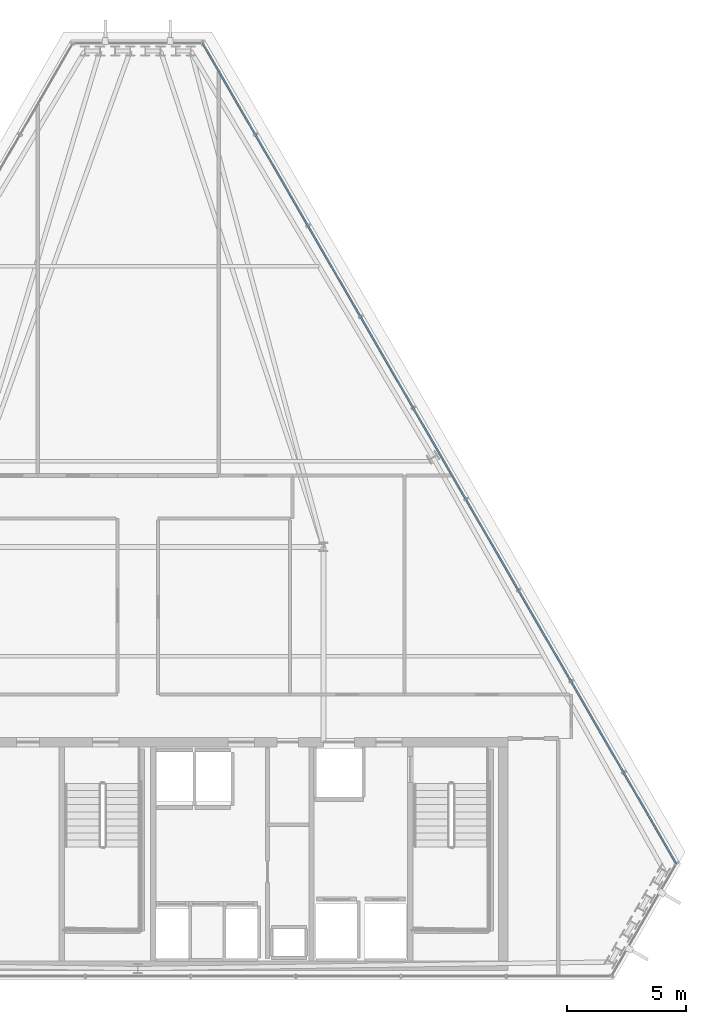
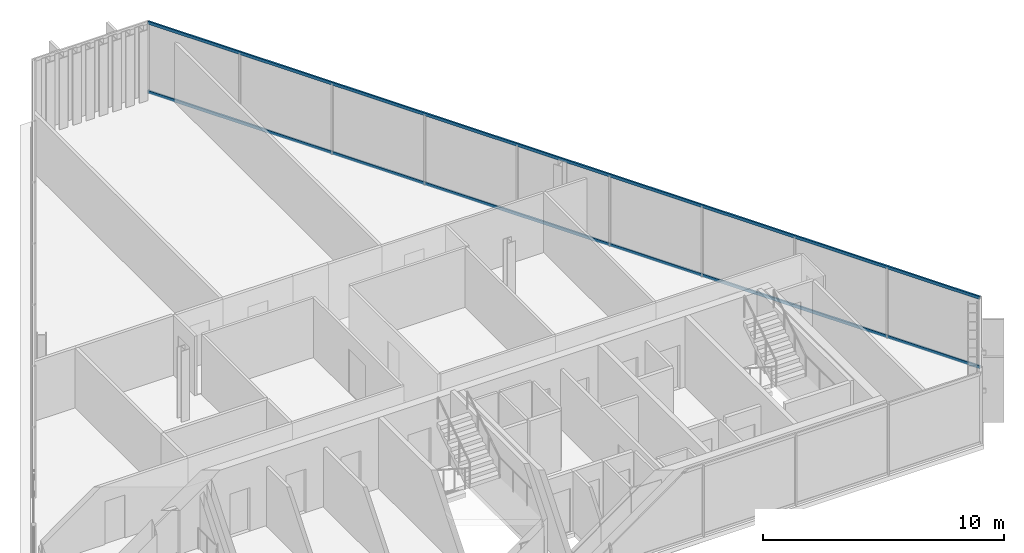
# One storey, part 25 of 34: 2 members, 1 element without a shape of its own.
"""IFC4 building model written with IfcOpenShell, lengths in metres."""

import ifcopenshell
import ifcopenshell.guid

model = None  # the IFC model being written
_history = None  # IfcOwnerHistory: only IFC2X3 demands one
_inside = {}  # id of a spatial element -> (the spatial element, [elements in it])
_under = {}  # id of a project, library or spatial element -> (it, [spatial elements below it])
_declared = {}  # id of a project -> (the project, [libraries it declares])
_typed = {}  # id of a type object -> (the type object, [elements of that type])
_made_of = {}  # id of a material, layer set ... -> (it, [elements and type objects made of it])


def new_model(schema):
    """Start an empty IFC model of exactly this schema.

    Asked for "IFC4X3", IfcOpenShell would pick the latest addendum, in which some entities
    have other attributes; the version numbers below select the first issue.
    IFC2X3 requires an IfcOwnerHistory on every rooted entity: one is made here for all.
    """
    global model, _history
    if schema == "IFC4X3":
        model = ifcopenshell.file(schema_version=(4, 3, 0, 0))
    else:
        model = ifcopenshell.file(schema=schema)
    _inside.clear()
    _under.clear()
    _declared.clear()
    _typed.clear()
    _made_of.clear()
    _history = None
    if model.schema == "IFC2X3":
        org = make("IfcOrganization", Name="unknown")
        user = make(
            "IfcPersonAndOrganization",
            ThePerson=make("IfcPerson", FamilyName="unknown"),
            TheOrganization=org,
        )
        app = make(
            "IfcApplication",
            ApplicationDeveloper=org,
            Version="unknown",
            ApplicationFullName="unknown",
            ApplicationIdentifier="unknown",
        )
        _history = make(
            "IfcOwnerHistory",
            OwningUser=user,
            OwningApplication=app,
            ChangeAction="ADDED",
            CreationDate=0,
        )
    return model


def make(cls, **values):
    """One entity of the class cls with the attributes given. An attribute that is None is left unset."""
    return model.create_entity(
        cls, **{name: value for name, value in values.items() if value is not None}
    )


def rooted(cls, **values):
    """An entity with a GlobalId (a new one), such as an element, a storey or a relation."""
    return make(cls, GlobalId=ifcopenshell.guid.new(), OwnerHistory=_history, **values)


def si_unit(unit_type, name, prefix=None):
    """IfcSIUnit, for example si_unit("LENGTHUNIT", "METRE", prefix="MILLI")."""
    return make("IfcSIUnit", UnitType=unit_type, Prefix=prefix, Name=name)


def assignment(units):
    """IfcUnitAssignment: the units of a project."""
    return None if units is None else make("IfcUnitAssignment", Units=units)


def point(xyz):
    """IfcCartesianPoint."""
    return None if xyz is None else make("IfcCartesianPoint", Coordinates=xyz)


def direction(xyz):
    """IfcDirection."""
    return None if xyz is None else make("IfcDirection", DirectionRatios=xyz)


def frame(location, z_axis=None, x_axis=None):
    """IfcAxis2Placement3D, a coordinate frame: its origin and axes. An axis left out is left unset."""
    return make(
        "IfcAxis2Placement3D",
        Location=point(location),
        Axis=direction(z_axis),
        RefDirection=direction(x_axis),
    )


def frame_2d(location, x_axis=None):
    """IfcAxis2Placement2D, a coordinate frame in the plane: its origin and x axis."""
    return make(
        "IfcAxis2Placement2D", Location=point(location), RefDirection=direction(x_axis)
    )


def origin():
    """The frame at (0, 0, 0) with its axes left unset."""
    return frame((0.0, 0.0, 0.0))


def origin_2d():
    """The frame at (0, 0) in the plane with its x axis left unset."""
    return frame_2d((0.0, 0.0))


def place(relative_to, where):
    """IfcLocalPlacement: puts the frame where relative to a parent placement (None: the world)."""
    return make(
        "IfcLocalPlacement", PlacementRelTo=relative_to, RelativePlacement=where
    )


def context(
    kind, dimensions, precision=None, world=None, true_north=None, identifier=None
):
    """IfcGeometricRepresentationContext, for example the 3D "Model" context."""
    return make(
        "IfcGeometricRepresentationContext",
        ContextIdentifier=identifier,
        ContextType=kind,
        CoordinateSpaceDimension=dimensions,
        Precision=precision,
        WorldCoordinateSystem=world,
        TrueNorth=true_north,
    )


def subcontext(parent, identifier, kind, view, scale=None):
    """IfcGeometricRepresentationSubContext, for example "Body" below "Model"."""
    return make(
        "IfcGeometricRepresentationSubContext",
        ContextIdentifier=identifier,
        ContextType=kind,
        ParentContext=parent,
        TargetScale=scale,
        TargetView=view,
    )


def project(units=None, contexts=None):
    """IfcProject with its units and contexts."""
    return rooted(
        "IfcProject",
        Name="project",
        RepresentationContexts=contexts,
        UnitsInContext=assignment(units),
    )


def spatial(cls, under=None, at=None, **own):
    """A site, building, storey or space (cls), placed at a placement, below another one or the project."""
    s = rooted(cls, ObjectPlacement=at, **own)
    if under is not None:
        _under.setdefault(under.id(), (under, []))[1].append(s)
    return s


def profile(cls, at=None, kind="AREA", **sizes):
    """A parametric profile (cls). Its sizes go by their IFC names, for example OverallWidth=200.0."""
    return make(cls, ProfileType=kind, Position=at, **sizes)


def hollow_rectangle(**sizes):
    """IfcRectangleHollowProfileDef."""
    return profile("IfcRectangleHollowProfileDef", **sizes)


def extrude(swept, where, along, depth):
    """IfcExtrudedAreaSolid: the profile swept, set in the frame where, extruded along a direction by depth."""
    return make(
        "IfcExtrudedAreaSolid",
        SweptArea=swept,
        Position=where,
        ExtrudedDirection=direction(along),
        Depth=depth,
    )


def shape(context_of_items, identifier, shape_type, items):
    """IfcShapeRepresentation: the items that make up one representation, for example the "Body"."""
    return make(
        "IfcShapeRepresentation",
        ContextOfItems=context_of_items,
        RepresentationIdentifier=identifier,
        RepresentationType=shape_type,
        Items=items,
    )


def material(Name=None, Category=None):
    """IfcMaterial."""
    return make("IfcMaterial", Name=Name, Category=Category)


def layer(
    of_material, thickness, ventilated=None, Name=None, Category=None, Priority=None
):
    """IfcMaterialLayer: one layer of a wall or slab, of a material (None: an air gap)."""
    return make(
        "IfcMaterialLayer",
        Material=of_material,
        LayerThickness=thickness,
        IsVentilated=ventilated,
        Name=Name,
        Category=Category,
        Priority=Priority,
    )


def layer_set(layers, Name=None):
    """IfcMaterialLayerSet."""
    return make("IfcMaterialLayerSet", MaterialLayers=layers, LayerSetName=Name)


def material_profile(
    of_material, cross_section, Name=None, Category=None, Priority=None
):
    """IfcMaterialProfile: a cross section and its material."""
    return make(
        "IfcMaterialProfile",
        Name=Name,
        Material=of_material,
        Profile=cross_section,
        Priority=Priority,
        Category=Category,
    )


def profile_set(profiles, Name=None, composite=None):
    """IfcMaterialProfileSet."""
    return make(
        "IfcMaterialProfileSet",
        Name=Name,
        MaterialProfiles=profiles,
        CompositeProfile=composite,
    )


def made_of(thing, what):
    """Note that an element or type object is made of a material, layer set ...; save() writes the relation."""
    if what is not None:
        _made_of.setdefault(what.id(), (what, []))[1].append(thing)
    return thing


def type_object(cls, material=None, **own):
    """A type object (cls), such as IfcWallType, which elements share."""
    return made_of(rooted(cls, **own), material)


def element(
    cls,
    number,
    at=None,
    inside=None,
    cuts=None,
    type_object=None,
    material=None,
    context=None,
    identifier="Body",
    shape_type=None,
    held_by="IfcProductDefinitionShape",
    body=None,
    shapes=None,
    **own,
):
    """One element of the class cls, such as IfcWall. Its Tag is "e" and its number.

    at: its placement. inside: the storey or other place that contains it. cuts: it is an
    opening in that element (IfcRelVoidsElement). A single representation is given by context,
    identifier, shape_type and body (its items); several are given by shapes. held_by: the class
    of the entity that holds the representations. save() writes the other relations.
    """
    e = rooted(cls, Tag="e%d" % number, ObjectPlacement=at, **own)
    if body is not None:
        shapes = [shape(context, identifier, shape_type, body)]
    if shapes is not None:
        e.Representation = make(held_by, Representations=shapes)
    if inside is not None:
        _inside.setdefault(inside.id(), (inside, []))[1].append(e)
    if cuts is not None:
        rooted(
            "IfcRelVoidsElement", RelatingBuildingElement=cuts, RelatedOpeningElement=e
        )
    if type_object is not None:
        _typed.setdefault(type_object.id(), (type_object, []))[1].append(e)
    return made_of(e, material)


def aggregate(whole, parts):
    """IfcRelAggregates: a whole, such as a stair, and the parts it consists of."""
    return rooted("IfcRelAggregates", RelatingObject=whole, RelatedObjects=parts)


def save(model, path):
    """Write the relations noted so far, then the file.

    IfcRelAggregates (storeys below a building ...), IfcRelContainedInSpatialStructure (elements
    in a storey), IfcRelDefinesByType, IfcRelAssociatesMaterial and IfcRelDeclares: one each for
    every whole, place, type object, material and project.
    """
    for whole, parts in _under.values():
        aggregate(whole, parts)
    for where, things in _inside.values():
        rooted(
            "IfcRelContainedInSpatialStructure",
            RelatedElements=things,
            RelatingStructure=where,
        )
    for kind, things in _typed.values():
        rooted("IfcRelDefinesByType", RelatedObjects=things, RelatingType=kind)
    for what, things in _made_of.values():
        rooted("IfcRelAssociatesMaterial", RelatedObjects=things, RelatingMaterial=what)
    for by, libraries in _declared.values():
        rooted("IfcRelDeclares", RelatingContext=by, RelatedDefinitions=libraries)
    model.write(path)


model = new_model("IFC4")

# Units and contexts
model_context = context("Model", 3, precision=1e-05, world=origin(), true_north=direction((0.0, 1.0)))
body_context = subcontext(model_context, "Body", "Model", "MODEL_VIEW")
ifc_project = project(units=[si_unit("LENGTHUNIT", "METRE"), si_unit("AREAUNIT", "SQUARE_METRE"), si_unit("VOLUMEUNIT", "CUBIC_METRE"), si_unit("PLANEANGLEUNIT", "RADIAN"), si_unit("MASSUNIT", "GRAM", prefix="KILO")], contexts=[model_context])

# Site, building, storey
site_placement = place(None, origin())
site = spatial("IfcSite", under=ifc_project, at=site_placement, CompositionType="ELEMENT")
building_placement = place(site_placement, origin())
building = spatial("IfcBuilding", under=site, at=building_placement, Name="Ndaravel Arena Tower", CompositionType="ELEMENT")
storey_placement = place(building_placement, frame((0.0, 0.0, 263.60009765625)))
storey = spatial("IfcBuildingStorey", under=building, at=storey_placement, Name="L64", CompositionType="ELEMENT", Elevation=263.60009765625)

# Curtain wall, members
ifc_material_1 = material(Name="Aluminium", Category="aluminium")
ifc_layer = layer(ifc_material_1, 0.179931640625)
ifc_layer_set = layer_set([ifc_layer], Name="Aluminium")
curtain_wall_type = type_object("IfcCurtainWallType", Name="CW-SYS-03", PredefinedType="NOTDEFINED", material=ifc_layer_set)
curtain_wall_placement = place(storey_placement, origin())
curtain_wall = element("IfcCurtainWall", 1, at=curtain_wall_placement, inside=storey, type_object=curtain_wall_type, Name="L64 Faceted Crystal Curtain Wall CW-L64-E03", PredefinedType="NOTDEFINED")
ifc_material_2 = material(Name="Aluminium", Category="aluminium")
ifc_material_profile = material_profile(ifc_material_2, hollow_rectangle(XDim=0.074951171875, YDim=0.14990234375, WallThickness=0.00390625, at=origin_2d()), Name="CW TRANSOM 75x150x4")
ifc_profile_set = profile_set([ifc_material_profile], Name="Aluminium")
member_type = type_object("IfcMemberType", Name="MEM-CW-TRN150", PredefinedType="USERDEFINED", material=ifc_profile_set)
member_1_placement = place(storey_placement, frame((64.631103515625, 9.888916015625, 0.039794921875), z_axis=(-0.499998378553, 0.866026339926, 0.0), x_axis=(-0.866026339926, -0.499998378553, 0.0)))
member_1 = element("IfcMember", 2, at=member_1_placement, type_object=member_type, Name="CW-L64-E03 Transom 01", ObjectType="TRANSOM", PredefinedType="USERDEFINED", context=body_context, shape_type="SweptSolid", body=[
    extrude(hollow_rectangle(XDim=0.074951171875, YDim=0.14990234375, WallThickness=0.00390625, at=origin_2d()), origin(), (0.0, 0.0, 1.0), 39.802001953125),
])
member_2_placement = place(storey_placement, frame((64.631103515625, 9.888916015625, 3.539794921875), z_axis=(-0.499998378553, 0.866026339926, 0.0), x_axis=(-0.866026339926, -0.499998378553, 0.0)))
member_2 = element("IfcMember", 3, at=member_2_placement, type_object=member_type, Name="CW-L64-E03 Transom 02", ObjectType="TRANSOM", PredefinedType="USERDEFINED", context=body_context, shape_type="SweptSolid", body=[
    extrude(hollow_rectangle(XDim=0.074951171875, YDim=0.14990234375, WallThickness=0.00390625, at=origin_2d()), origin(), (0.0, 0.0, 1.0), 39.802001953125),
])
aggregate(curtain_wall, [member_1, member_2])

save(model, "model.ifc")
